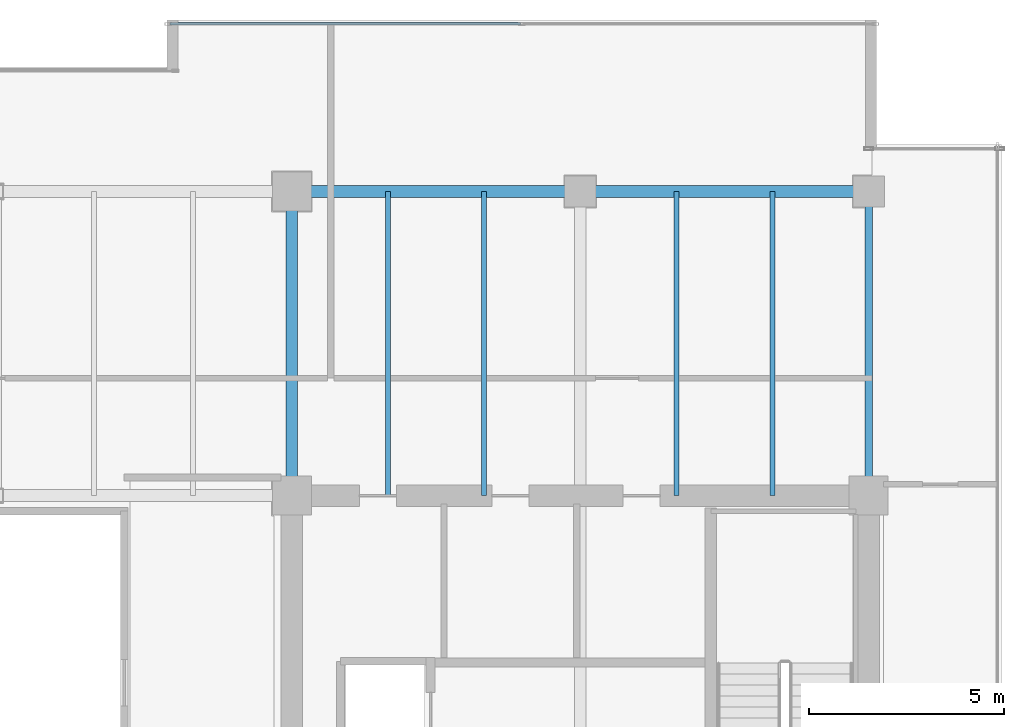
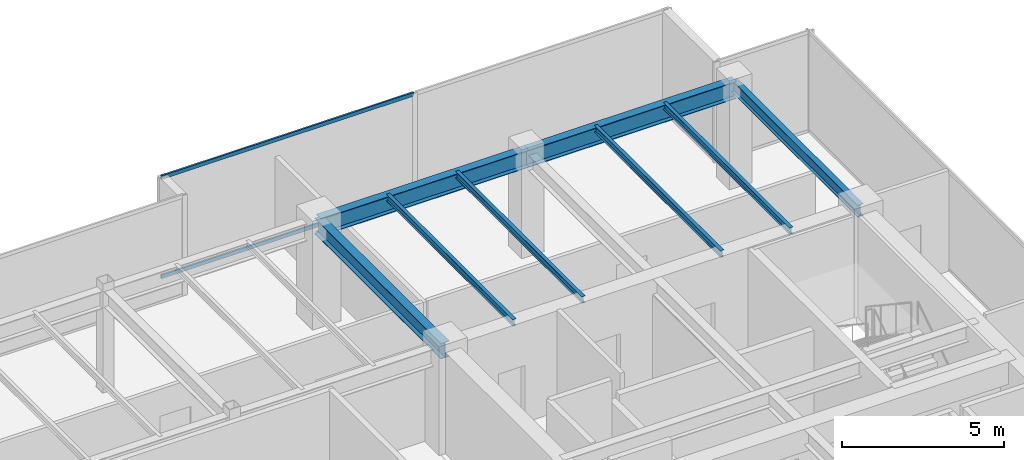
# One storey, part 20 of 36: 8 beams, 2 members, 1 element without a shape of its own.
"""IFC4 building model written with IfcOpenShell, lengths in metres."""

from ifc_helpers import new_model, si_unit, direction, frame, origin, origin_2d, place, context, subcontext, project, spatial, hollow_rectangle, i_section, extrude, source, transform, mapped, material, layer, layer_set, material_profile, profile_set, type_object, type_shapes, element, aggregate, save


model = new_model("IFC4")

# Units and contexts
model_context = context("Model", 3, precision=1e-05, world=origin(), true_north=direction((0.0, 1.0)))
body_context = subcontext(model_context, "Body", "Model", "MODEL_VIEW")
ifc_project = project(units=[si_unit("LENGTHUNIT", "METRE"), si_unit("AREAUNIT", "SQUARE_METRE"), si_unit("VOLUMEUNIT", "CUBIC_METRE"), si_unit("PLANEANGLEUNIT", "RADIAN"), si_unit("MASSUNIT", "GRAM", prefix="KILO")], contexts=[model_context])

# Site, building, storey
site_placement = place(None, origin())
site = spatial("IfcSite", under=ifc_project, at=site_placement, CompositionType="ELEMENT")
building_placement = place(site_placement, origin())
building = spatial("IfcBuilding", under=site, at=building_placement, Name="Haelvirn Gate Laboratories", CompositionType="ELEMENT")
storey_placement = place(building_placement, frame((0.0, 0.0, 254.699951171875)))
storey = spatial("IfcBuildingStorey", under=building, at=storey_placement, Name="L61", CompositionType="ELEMENT", Elevation=254.699951171875)

# Beams
ifc_material_1 = material(Name="Steel SM355", Category="steel")
ifc_material_profile_1 = material_profile(ifc_material_1, i_section(OverallWidth=0.300048828125, OverallDepth=0.587890625, WebThickness=0.011962890625, FlangeThickness=0.02001953125, at=origin_2d()), Name="H-588x300x12x20")
ifc_profile_set_1 = profile_set([ifc_material_profile_1], Name="Steel SM355")
beam_type_1 = type_object("IfcBeamType", Name="BM-G-588", PredefinedType="BEAM", material=ifc_profile_set_1)
shared_shape_1 = source(origin(), body_context, "Body", "SweptSolid", [
    extrude(i_section(OverallWidth=0.300048828125, OverallDepth=0.587890625, WebThickness=0.011962890625, FlangeThickness=0.02001953125, at=origin_2d()), origin(), (0.0, 0.0, 1.0), 7.800048828125),
])
type_shapes(beam_type_1, [shared_shape_1])
beam_1_placement = place(storey_placement, frame((52.60009765625, 33.800048828125, 3.506103515625), z_axis=(0.0, 1.0, 0.0), x_axis=(-1.0, 0.0, 0.0)))
element("IfcBeam", 1, at=beam_1_placement, inside=storey, type_object=beam_type_1, Name="L61 Frame Girder X52.6 (33.8-41.6)", PredefinedType="BEAM", context=body_context, shape_type="MappedRepresentation", body=[
    mapped(shared_shape_1, transform((0.0, 0.0, 0.0), scale=1.0)),
])
ifc_material_profile_2 = material_profile(ifc_material_1, i_section(OverallWidth=0.300048828125, OverallDepth=0.64990234375, WebThickness=0.012939453125, FlangeThickness=0.02197265625, at=origin_2d()), Name="H-650x300x13x22")
ifc_profile_set_2 = profile_set([ifc_material_profile_2], Name="Steel SM355")
beam_type_2 = type_object("IfcBeamType", Name="BM-G-650", PredefinedType="BEAM", material=ifc_profile_set_2)
shared_shape_2 = source(origin(), body_context, "Body", "SweptSolid", [
    extrude(i_section(OverallWidth=0.300048828125, OverallDepth=0.64990234375, WebThickness=0.012939453125, FlangeThickness=0.02197265625, at=origin_2d()), origin(), (0.0, 0.0, 1.0), 7.39990234375),
])
type_shapes(beam_type_2, [shared_shape_2])
for number, where, z_axis, x_axis, name in (
    (2, (52.60009765625, 41.60009765625, 3.47509765625), (1.0, 0.0, 0.0), (0.0, 1.0, 0.0), "L61 Primary Girder Y41.6 (52.6-60.0)"),
    (3, (60.0, 41.60009765625, 3.47509765625), (1.0, 0.0, 0.0), (0.0, 1.0, 0.0), "L61 Primary Girder Y41.6 (60.0-67.4)"),
):
    element("IfcBeam", number, at=place(storey_placement, frame(where, z_axis=z_axis, x_axis=x_axis)), inside=storey, type_object=beam_type_2, Name=name, PredefinedType="BEAM", context=body_context, shape_type="MappedRepresentation", body=[
        mapped(shared_shape_2, transform((0.0, 0.0, 0.0), scale=1.0)),
    ])
ifc_material_profile_3 = material_profile(ifc_material_1, i_section(OverallWidth=0.199951171875, OverallDepth=0.449951171875, WebThickness=0.009033203125, FlangeThickness=0.013916015625, at=origin_2d()), Name="H-450x200x9x14")
ifc_profile_set_3 = profile_set([ifc_material_profile_3], Name="Steel SM355")
beam_type_3 = type_object("IfcBeamType", Name="BM-SP-450", PredefinedType="SPANDREL", material=ifc_profile_set_3)
shared_shape_3 = source(origin(), body_context, "Body", "SweptSolid", [
    extrude(i_section(OverallWidth=0.199951171875, OverallDepth=0.449951171875, WebThickness=0.009033203125, FlangeThickness=0.013916015625, at=origin_2d()), origin(), (0.0, 0.0, 1.0), 7.800048828125),
])
type_shapes(beam_type_3, [shared_shape_3])
beam_2_placement = place(storey_placement, frame((67.39990234375, 33.800048828125, 3.574951171875), z_axis=(0.0, 1.0, 0.0), x_axis=(-1.0, 0.0, 0.0)))
element("IfcBeam", 4, at=beam_2_placement, inside=storey, type_object=beam_type_3, Name="L61 Perimeter Spandrel X67.4 (33.8-41.6)", PredefinedType="SPANDREL", context=body_context, shape_type="MappedRepresentation", body=[
    mapped(shared_shape_3, transform((0.0, 0.0, 0.0), scale=1.0)),
])
ifc_material_profile_4 = material_profile(ifc_material_1, i_section(OverallWidth=0.125, OverallDepth=0.25, WebThickness=0.006103515625, FlangeThickness=0.009033203125, at=origin_2d()), Name="H-250x125x6x9")
ifc_profile_set_4 = profile_set([ifc_material_profile_4], Name="Steel SM355")
beam_type_4 = type_object("IfcBeamType", Name="BM-J-250", PredefinedType="JOIST", material=ifc_profile_set_4)
shared_shape_4 = source(origin(), body_context, "Body", "SweptSolid", [
    extrude(i_section(OverallWidth=0.125, OverallDepth=0.25, WebThickness=0.006103515625, FlangeThickness=0.009033203125, at=origin_2d()), origin(), (0.0, 0.0, 1.0), 7.800048828125),
])
type_shapes(beam_type_4, [shared_shape_4])
for number, where, z_axis, x_axis, name in (
    (5, (55.070068359375, 33.800048828125, 3.675048828125), (0.0, 1.0, 0.0), (-1.0, 0.0, 0.0), "L61 Composite Lab Joist North X55.07"),
    (6, (57.530029296875, 33.800048828125, 3.675048828125), (0.0, 1.0, 0.0), (-1.0, 0.0, 0.0), "L61 Composite Lab Joist North X57.53"),
    (7, (62.469970703125, 33.800048828125, 3.675048828125), (0.0, 1.0, 0.0), (-1.0, 0.0, 0.0), "L61 Composite Lab Joist North X62.47"),
    (8, (64.929931640625, 33.800048828125, 3.675048828125), (0.0, 1.0, 0.0), (-1.0, 0.0, 0.0), "L61 Composite Lab Joist North X64.93"),
):
    element("IfcBeam", number, at=place(storey_placement, frame(where, z_axis=z_axis, x_axis=x_axis)), inside=storey, type_object=beam_type_4, Name=name, PredefinedType="JOIST", context=body_context, shape_type="MappedRepresentation", body=[
        mapped(shared_shape_4, transform((0.0, 0.0, 0.0), scale=1.0)),
    ])

# Curtain wall, members
ifc_material_2 = material(Name="Anodised bronze unitised aluminium & triple low-E glass", Category="aluminium")
ifc_layer = layer(ifc_material_2, 0.176025390625, Name="CW-SYS-4")
ifc_layer_set = layer_set([ifc_layer], Name="Anodised bronze unitised aluminium & triple low-E glass")
curtain_wall_type = type_object("IfcCurtainWallType", Name="CW-SYS-4", PredefinedType="NOTDEFINED", material=ifc_layer_set)
curtain_wall_placement = place(storey_placement, origin())
curtain_wall = element("IfcCurtainWall", 9, at=curtain_wall_placement, inside=storey, type_object=curtain_wall_type, Name="L61 Unitised Curtain Wall CW-L61-P0-E10-1", PredefinedType="NOTDEFINED")
ifc_material_3 = material(Name="Extruded aluminium 6063-T6 (anodised bronze)", Category="aluminium")
ifc_material_profile_5 = material_profile(ifc_material_3, hollow_rectangle(XDim=0.06494140625, YDim=0.139892578125, WallThickness=0.00390625, at=origin_2d()), Name="CWT-140x65x4")
ifc_profile_set_5 = profile_set([ifc_material_profile_5], Name="Extruded aluminium 6063-T6 (anodised bronze)")
member_type = type_object("IfcMemberType", Name="CWT-T140", PredefinedType="USERDEFINED", material=ifc_profile_set_5)
shared_shape_5 = source(origin(), body_context, "Body", "SweptSolid", [
    extrude(hollow_rectangle(XDim=0.06494140625, YDim=0.139892578125, WallThickness=0.00390625, at=origin_2d()), origin(), (0.0, 0.0, 1.0), 8.9951171875),
])
type_shapes(member_type, [shared_shape_5])
member_1_placement = place(storey_placement, frame((49.469970703125, 45.89990234375, 0.032470703125), z_axis=(1.0, 0.0, 0.0), x_axis=(0.0, 1.0, 0.0)))
member_1 = element("IfcMember", 10, at=member_1_placement, type_object=member_type, Name="CW4 transom 1.1", ObjectType="TRANSOM", PredefinedType="USERDEFINED", context=body_context, shape_type="MappedRepresentation", body=[
    mapped(shared_shape_5, transform((0.0, 0.0, 0.0), scale=1.0)),
])
member_2_placement = place(storey_placement, frame((49.469970703125, 45.89990234375, 3.767578125), z_axis=(1.0, 0.0, 0.0), x_axis=(0.0, 1.0, 0.0)))
member_2 = element("IfcMember", 11, at=member_2_placement, type_object=member_type, Name="CW4 transom 1.2", ObjectType="TRANSOM", PredefinedType="USERDEFINED", context=body_context, shape_type="MappedRepresentation", body=[
    mapped(shared_shape_5, transform((0.0, 0.0, 0.0), scale=1.0)),
])
aggregate(curtain_wall, [member_1, member_2])

save(model, "model.ifc")
